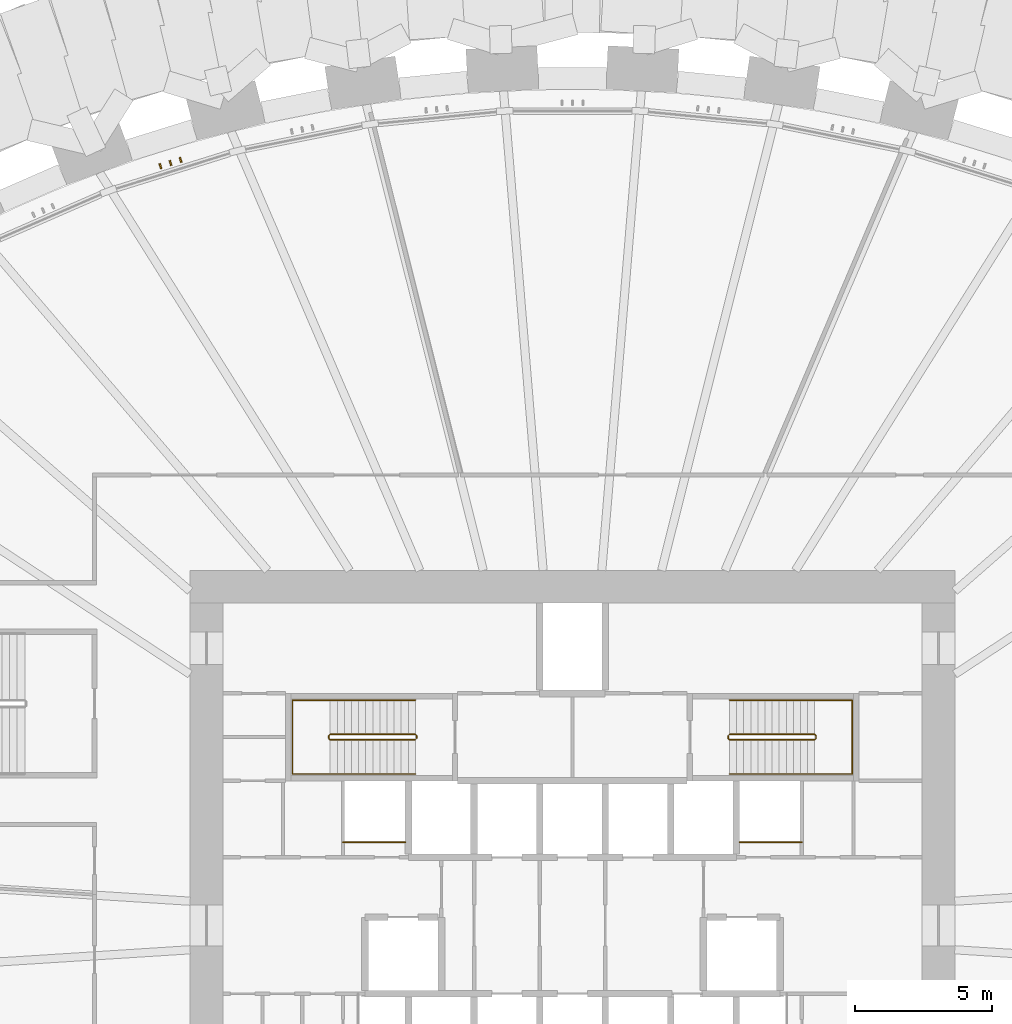
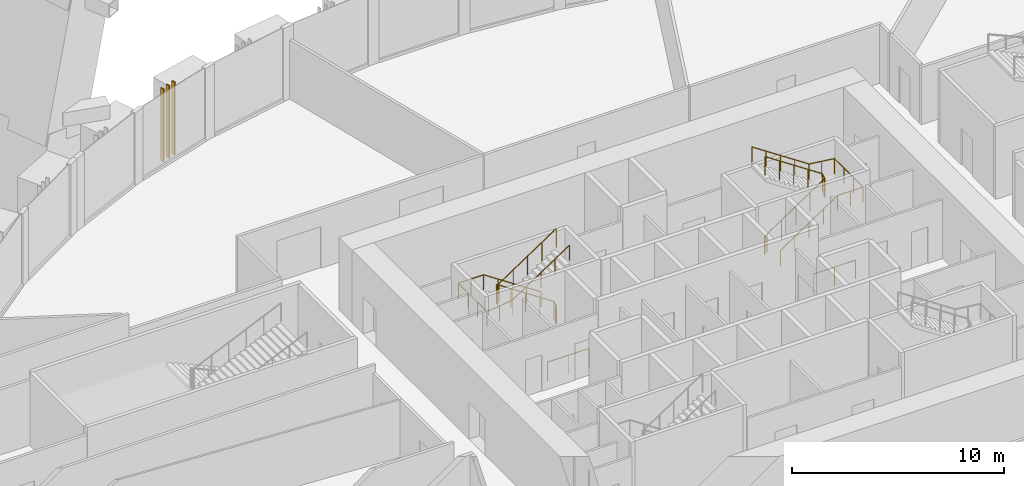
# One storey, part 19 of 23: 6 railings, 3 shading devices.
"""IFC4 building model written with IfcOpenShell, lengths in metres."""

from ifc_helpers import new_model, si_unit, direction, frame, origin, origin_2d, place, context, subcontext, project, spatial, rectangle, circle, extrude, source, transform, mapped, material, material_profile, profile_set, type_object, element, save


model = new_model("IFC4")

# Units and contexts
model_context = context("Model", 3, precision=1e-05, world=origin(), true_north=direction((0.0, 1.0)))
body_context = subcontext(model_context, "Body", "Model", "MODEL_VIEW")
ifc_project = project(units=[si_unit("LENGTHUNIT", "METRE"), si_unit("AREAUNIT", "SQUARE_METRE"), si_unit("VOLUMEUNIT", "CUBIC_METRE"), si_unit("PLANEANGLEUNIT", "RADIAN"), si_unit("MASSUNIT", "GRAM", prefix="KILO")], contexts=[model_context])

# Site, building, storey
site_placement = place(None, origin())
site = spatial("IfcSite", under=ifc_project, at=site_placement, CompositionType="ELEMENT")
building_placement = place(site_placement, origin())
building = spatial("IfcBuilding", under=site, at=building_placement, Name="Embergate Tower", CompositionType="ELEMENT")
storey_placement = place(building_placement, frame((0.0, 0.0, 29.0)))
storey = spatial("IfcBuildingStorey", under=building, at=storey_placement, Name="L03", CompositionType="ELEMENT", Elevation=29.0)

# Shading devices
ifc_material_1 = material(Name="Terracotta, extruded and glazed", Category="masonry")
ifc_material_profile = material_profile(ifc_material_1, rectangle(XDim=0.18994140625, YDim=0.06005859375, at=origin_2d()), Name="TC 190x60")
ifc_profile_set = profile_set([ifc_material_profile], Name="Terracotta, extruded and glazed")
shading_device_type = type_object("IfcShadingDeviceType", Name="Terracotta fin", PredefinedType="USERDEFINED", material=ifc_profile_set)
shared_shape_1 = source(origin(), body_context, "Body", "SweptSolid", [
    extrude(rectangle(XDim=0.18994140625, YDim=0.06005859375, at=origin_2d()), origin(), (0.0, 0.0, 1.0), 4.199951171875),
])
for number, where, z_axis, x_axis, name in (
    (1, (-14.34716796875, 28.034423828125, 0.0), (0.0, 0.0, 1.0), (0.297346545624, -0.954769622373, 0.0), "Fin 14.1"),
    (2, (-14.71728515625, 27.919189453125, 0.0), (0.0, 0.0, 1.0), (0.297346545624, -0.954769622373, 0.0), "Fin 14.2"),
    (3, (-15.08740234375, 27.803955078125, 0.0), (0.0, 0.0, 1.0), (0.297346545624, -0.954769622373, 0.0), "Fin 14.3"),
):
    element("IfcShadingDevice", number, at=place(storey_placement, frame(where, z_axis=z_axis, x_axis=x_axis)), inside=storey, type_object=shading_device_type, Name=name, ObjectType="FIN", PredefinedType="USERDEFINED", context=body_context, shape_type="MappedRepresentation", body=[
        mapped(shared_shape_1, transform((0.0, 0.0, 0.0))),
    ])

# Railings
ifc_material_2 = material(Name="Stair guard 1100")
railing_type_1 = type_object("IfcRailingType", Name="Stair guard 1100", PredefinedType="GUARDRAIL", material=ifc_material_2)
shared_shape_2 = source(origin(), body_context, "Body", "SweptSolid", [
    extrude(circle(Radius=0.02392578125, at=origin_2d()), frame((0.0, 0.0, 1.076171875), z_axis=(0.0, 1.0, 0.0), x_axis=(-1.0, 0.0, 0.0)), (0.0, 0.0, 1.0), 0.099853515625),
    extrude(circle(Radius=0.02392578125, at=origin_2d()), frame((0.0, 0.099853515625, 1.076171875), z_axis=(-0.267629722418, 0.267629722418, 0.925607186314), x_axis=(-0.707106781187, -0.707106781187, 0.0)), (0.0, 0.0, 1.0), 0.18701171875),
    extrude(circle(Radius=0.02392578125, at=origin_2d()), frame((-0.050048828125, 0.14990234375, 1.2490234375), z_axis=(-0.83244090515, 0.0, 0.554113832559), x_axis=(0.0, -1.0, 0.0)), (0.0, 0.0, 1.0), 3.748046875),
    extrude(circle(Radius=0.02392578125, at=origin_2d()), frame((-3.170166015625, 0.14990234375, 3.326171875), z_axis=(-0.705375805398, -0.708833529934, 0.0), x_axis=(0.708833529934, -0.705375805398, 0.0)), (0.0, 0.0, 1.0), 0.070556640625),
    extrude(circle(Radius=0.02392578125, at=origin_2d()), frame((-3.219970703125, 0.099853515625, 3.326171875), z_axis=(0.0, -1.0, 0.0), x_axis=(1.0, 0.0, 0.0)), (0.0, 0.0, 1.0), 0.099853515625),
    extrude(circle(Radius=0.02392578125, at=origin_2d()), frame((-3.219970703125, 0.0, 3.326171875), z_axis=(0.266417085129, -0.267723051232, 0.925929967433), x_axis=(0.708833529934, 0.705375805398, 0.0)), (0.0, 0.0, 1.0), 0.18701171875),
    extrude(circle(Radius=0.02392578125, at=origin_2d()), frame((-3.170166015625, -0.050048828125, 3.4990234375), z_axis=(0.83244090515, 0.0, 0.554113832559), x_axis=(0.0, 1.0, 0.0)), (0.0, 0.0, 1.0), 3.748046875),
    extrude(circle(Radius=0.02099609375, at=origin_2d()), origin(), (0.0, 0.0, 1.0), 1.052001953125),
    extrude(circle(Radius=0.02099609375, at=origin_2d()), frame((0.0, 0.099853515625, 0.0)), (0.0, 0.0, 1.0), 1.052001953125),
    extrude(circle(Radius=0.02099609375, at=origin_2d()), frame((-0.050048828125, 0.14990234375, 0.173095703125)), (0.0, 0.0, 1.0), 1.052001953125),
    extrude(circle(Radius=0.02099609375, at=origin_2d()), frame((-0.830078125, 0.14990234375, 0.6923828125)), (0.0, 0.0, 1.0), 1.052001953125),
    extrude(circle(Radius=0.02099609375, at=origin_2d()), frame((-1.610107421875, 0.14990234375, 1.21142578125)), (0.0, 0.0, 1.0), 1.052001953125),
    extrude(circle(Radius=0.02099609375, at=origin_2d()), frame((-2.39013671875, 0.14990234375, 1.730712890625)), (0.0, 0.0, 1.0), 1.052001953125),
    extrude(circle(Radius=0.02099609375, at=origin_2d()), frame((-3.170166015625, 0.14990234375, 2.25)), (0.0, 0.0, 1.0), 1.052001953125),
    extrude(circle(Radius=0.02099609375, at=origin_2d()), frame((-3.219970703125, 0.099853515625, 2.25)), (0.0, 0.0, 1.0), 1.052001953125),
    extrude(circle(Radius=0.02099609375, at=origin_2d()), frame((-3.219970703125, 0.0, 2.25)), (0.0, 0.0, 1.0), 1.052001953125),
    extrude(circle(Radius=0.02099609375, at=origin_2d()), frame((-3.170166015625, -0.050048828125, 2.423095703125)), (0.0, 0.0, 1.0), 1.052001953125),
    extrude(circle(Radius=0.02099609375, at=origin_2d()), frame((-2.39013671875, -0.050048828125, 2.9423828125)), (0.0, 0.0, 1.0), 1.052001953125),
    extrude(circle(Radius=0.02099609375, at=origin_2d()), frame((-1.610107421875, -0.050048828125, 3.46142578125)), (0.0, 0.0, 1.0), 1.052001953125),
    extrude(circle(Radius=0.02099609375, at=origin_2d()), frame((-0.830078125, -0.050048828125, 3.980712890625)), (0.0, 0.0, 1.0), 1.052001953125),
    extrude(circle(Radius=0.02099609375, at=origin_2d()), frame((-0.050048828125, -0.050048828125, 4.5)), (0.0, 0.0, 1.0), 1.052001953125),
])
railing_1_placement = place(storey_placement, frame((-5.699951171875, 6.85009765625, 0.0)))
element("IfcRailing", 4, at=railing_1_placement, inside=storey, type_object=railing_type_1, Name="L03 ST1 stair guard 1", PredefinedType="GUARDRAIL", context=body_context, shape_type="MappedRepresentation", body=[
    mapped(shared_shape_2, transform((0.0, 0.0, 0.0))),
])
ifc_material_3 = material(Name="Stair handrail 900")
railing_type_2 = type_object("IfcRailingType", Name="Stair handrail 900", PredefinedType="HANDRAIL", material=ifc_material_3)
shared_shape_3 = source(origin(), body_context, "Body", "SweptSolid", [
    extrude(circle(Radius=0.02392578125, at=origin_2d()), frame((0.0, 0.0, 0.8759765625), z_axis=(-0.83244090515, 0.0, 0.554113832559), x_axis=(0.0, -1.0, 0.0)), (0.0, 0.0, 1.0), 3.748046875),
    extrude(circle(Radius=0.02392578125, at=origin_2d()), frame((-3.1201171875, 0.0, 2.95263671875), z_axis=(-1.0, 0.0, 0.0), x_axis=(0.0, -1.0, 0.0)), (0.0, 0.0, 1.0), 1.3798828125),
    extrude(circle(Radius=0.02392578125, at=origin_2d()), frame((-4.5, 0.0, 2.95263671875), z_axis=(0.0, -1.0, 0.0), x_axis=(1.0, 0.0, 0.0)), (0.0, 0.0, 1.0), 2.699951171875),
    extrude(circle(Radius=0.02392578125, at=origin_2d()), frame((-4.5, -2.699951171875, 2.95263671875), z_axis=(0.992223766409, 0.0, 0.12446685251), x_axis=(0.0, 1.0, 0.0)), (0.0, 0.0, 1.0), 1.390625),
    extrude(circle(Radius=0.02392578125, at=origin_2d()), frame((-3.1201171875, -2.699951171875, 3.1259765625), z_axis=(0.83244090515, 0.0, 0.554113832559), x_axis=(0.0, 1.0, 0.0)), (0.0, 0.0, 1.0), 3.748046875),
    extrude(circle(Radius=0.02099609375, at=origin_2d()), origin(), (0.0, 0.0, 1.0), 0.851806640625),
    extrude(circle(Radius=0.02099609375, at=origin_2d()), frame((-0.780029296875, 0.0, 0.519287109375)), (0.0, 0.0, 1.0), 0.851806640625),
    extrude(circle(Radius=0.02099609375, at=origin_2d()), frame((-1.56005859375, 0.0, 1.03857421875)), (0.0, 0.0, 1.0), 0.851806640625),
    extrude(circle(Radius=0.02099609375, at=origin_2d()), frame((-2.340087890625, 0.0, 1.5576171875)), (0.0, 0.0, 1.0), 0.851806640625),
    extrude(circle(Radius=0.02099609375, at=origin_2d()), frame((-3.1201171875, 0.0, 2.076904296875)), (0.0, 0.0, 1.0), 0.851806640625),
    extrude(circle(Radius=0.02099609375, at=origin_2d()), frame((-3.81005859375, 0.0, 2.076904296875)), (0.0, 0.0, 1.0), 0.851806640625),
    extrude(circle(Radius=0.02099609375, at=origin_2d()), frame((-4.5, 0.0, 2.076904296875)), (0.0, 0.0, 1.0), 0.851806640625),
    extrude(circle(Radius=0.02099609375, at=origin_2d()), frame((-4.5, -0.89990234375, 2.076904296875)), (0.0, 0.0, 1.0), 0.851806640625),
    extrude(circle(Radius=0.02099609375, at=origin_2d()), frame((-4.5, -1.800048828125, 2.076904296875)), (0.0, 0.0, 1.0), 0.851806640625),
    extrude(circle(Radius=0.02099609375, at=origin_2d()), frame((-4.5, -2.699951171875, 2.076904296875)), (0.0, 0.0, 1.0), 0.851806640625),
    extrude(circle(Radius=0.02099609375, at=origin_2d()), frame((-3.81005859375, -2.699951171875, 2.16357421875)), (0.0, 0.0, 1.0), 0.851806640625),
    extrude(circle(Radius=0.02099609375, at=origin_2d()), frame((-3.1201171875, -2.699951171875, 2.25)), (0.0, 0.0, 1.0), 0.851806640625),
    extrude(circle(Radius=0.02099609375, at=origin_2d()), frame((-2.340087890625, -2.699951171875, 2.769287109375)), (0.0, 0.0, 1.0), 0.851806640625),
    extrude(circle(Radius=0.02099609375, at=origin_2d()), frame((-1.56005859375, -2.699951171875, 3.28857421875)), (0.0, 0.0, 1.0), 0.851806640625),
    extrude(circle(Radius=0.02099609375, at=origin_2d()), frame((-0.780029296875, -2.699951171875, 3.8076171875)), (0.0, 0.0, 1.0), 0.851806640625),
    extrude(circle(Radius=0.02099609375, at=origin_2d()), frame((0.0, -2.699951171875, 4.326904296875)), (0.0, 0.0, 1.0), 0.851806640625),
])
railing_2_placement = place(storey_placement, frame((-5.75, 8.25, 0.173095703125)))
element("IfcRailing", 5, at=railing_2_placement, inside=storey, type_object=railing_type_2, Name="L03 ST1 stair handrail 1", PredefinedType="HANDRAIL", context=body_context, shape_type="MappedRepresentation", body=[
    mapped(shared_shape_3, transform((0.0, 0.0, 0.0))),
])
shared_shape_4 = source(origin(), body_context, "Body", "SweptSolid", [
    extrude(circle(Radius=0.02392578125, at=origin_2d()), frame((0.0, 0.0, 1.076171875), z_axis=(0.0, -1.0, 0.0), x_axis=(1.0, 0.0, 0.0)), (0.0, 0.0, 1.0), 0.099853515625),
    extrude(circle(Radius=0.02392578125, at=origin_2d()), frame((0.0, -0.099853515625, 1.076171875), z_axis=(0.267629722418, -0.267629722418, 0.925607186314), x_axis=(0.707106781187, 0.707106781187, 0.0)), (0.0, 0.0, 1.0), 0.18701171875),
    extrude(circle(Radius=0.02392578125, at=origin_2d()), frame((0.050048828125, -0.14990234375, 1.2490234375), z_axis=(0.83244090515, 0.0, 0.554113832559), x_axis=(0.0, 1.0, 0.0)), (0.0, 0.0, 1.0), 3.748046875),
    extrude(circle(Radius=0.02392578125, at=origin_2d()), frame((3.170166015625, -0.14990234375, 3.326171875), z_axis=(0.705375805398, 0.708833529934, 0.0), x_axis=(-0.708833529934, 0.705375805398, 0.0)), (0.0, 0.0, 1.0), 0.070556640625),
    extrude(circle(Radius=0.02392578125, at=origin_2d()), frame((3.219970703125, -0.099853515625, 3.326171875), z_axis=(0.0, 1.0, 0.0), x_axis=(-1.0, 0.0, 0.0)), (0.0, 0.0, 1.0), 0.099853515625),
    extrude(circle(Radius=0.02392578125, at=origin_2d()), frame((3.219970703125, 0.0, 3.326171875), z_axis=(-0.266417085129, 0.267723051232, 0.925929967433), x_axis=(-0.708833529934, -0.705375805398, 0.0)), (0.0, 0.0, 1.0), 0.18701171875),
    extrude(circle(Radius=0.02392578125, at=origin_2d()), frame((3.170166015625, 0.050048828125, 3.4990234375), z_axis=(-0.83244090515, 0.0, 0.554113832559), x_axis=(0.0, -1.0, 0.0)), (0.0, 0.0, 1.0), 3.748046875),
    extrude(circle(Radius=0.02099609375, at=origin_2d()), origin(), (0.0, 0.0, 1.0), 1.052001953125),
    extrude(circle(Radius=0.02099609375, at=origin_2d()), frame((0.0, -0.099853515625, 0.0)), (0.0, 0.0, 1.0), 1.052001953125),
    extrude(circle(Radius=0.02099609375, at=origin_2d()), frame((0.050048828125, -0.14990234375, 0.173095703125)), (0.0, 0.0, 1.0), 1.052001953125),
    extrude(circle(Radius=0.02099609375, at=origin_2d()), frame((0.830078125, -0.14990234375, 0.6923828125)), (0.0, 0.0, 1.0), 1.052001953125),
    extrude(circle(Radius=0.02099609375, at=origin_2d()), frame((1.610107421875, -0.14990234375, 1.21142578125)), (0.0, 0.0, 1.0), 1.052001953125),
    extrude(circle(Radius=0.02099609375, at=origin_2d()), frame((2.39013671875, -0.14990234375, 1.730712890625)), (0.0, 0.0, 1.0), 1.052001953125),
    extrude(circle(Radius=0.02099609375, at=origin_2d()), frame((3.170166015625, -0.14990234375, 2.25)), (0.0, 0.0, 1.0), 1.052001953125),
    extrude(circle(Radius=0.02099609375, at=origin_2d()), frame((3.219970703125, -0.099853515625, 2.25)), (0.0, 0.0, 1.0), 1.052001953125),
    extrude(circle(Radius=0.02099609375, at=origin_2d()), frame((3.219970703125, 0.0, 2.25)), (0.0, 0.0, 1.0), 1.052001953125),
    extrude(circle(Radius=0.02099609375, at=origin_2d()), frame((3.170166015625, 0.050048828125, 2.423095703125)), (0.0, 0.0, 1.0), 1.052001953125),
    extrude(circle(Radius=0.02099609375, at=origin_2d()), frame((2.39013671875, 0.050048828125, 2.9423828125)), (0.0, 0.0, 1.0), 1.052001953125),
    extrude(circle(Radius=0.02099609375, at=origin_2d()), frame((1.610107421875, 0.050048828125, 3.46142578125)), (0.0, 0.0, 1.0), 1.052001953125),
    extrude(circle(Radius=0.02099609375, at=origin_2d()), frame((0.830078125, 0.050048828125, 3.980712890625)), (0.0, 0.0, 1.0), 1.052001953125),
    extrude(circle(Radius=0.02099609375, at=origin_2d()), frame((0.050048828125, 0.050048828125, 4.5)), (0.0, 0.0, 1.0), 1.052001953125),
])
railing_3_placement = place(storey_placement, frame((5.699951171875, 6.949951171875, 0.0)))
element("IfcRailing", 6, at=railing_3_placement, inside=storey, type_object=railing_type_1, Name="L03 ST2 stair guard 1", PredefinedType="GUARDRAIL", context=body_context, shape_type="MappedRepresentation", body=[
    mapped(shared_shape_4, transform((0.0, 0.0, 0.0))),
])
shared_shape_5 = source(origin(), body_context, "Body", "SweptSolid", [
    extrude(circle(Radius=0.02392578125, at=origin_2d()), frame((0.0, 0.0, 0.8759765625), z_axis=(0.83244090515, 0.0, 0.554113832559), x_axis=(0.0, 1.0, 0.0)), (0.0, 0.0, 1.0), 3.748046875),
    extrude(circle(Radius=0.02392578125, at=origin_2d()), frame((3.1201171875, 0.0, 2.95263671875), z_axis=(1.0, 0.0, 0.0), x_axis=(0.0, 1.0, 0.0)), (0.0, 0.0, 1.0), 1.3798828125),
    extrude(circle(Radius=0.02392578125, at=origin_2d()), frame((4.5, 0.0, 2.95263671875), z_axis=(0.0, 1.0, 0.0), x_axis=(-1.0, 0.0, 0.0)), (0.0, 0.0, 1.0), 2.699951171875),
    extrude(circle(Radius=0.02392578125, at=origin_2d()), frame((4.5, 2.699951171875, 2.95263671875), z_axis=(-0.992223766409, 0.0, 0.12446685251), x_axis=(0.0, -1.0, 0.0)), (0.0, 0.0, 1.0), 1.390625),
    extrude(circle(Radius=0.02392578125, at=origin_2d()), frame((3.1201171875, 2.699951171875, 3.1259765625), z_axis=(-0.83244090515, 0.0, 0.554113832559), x_axis=(0.0, -1.0, 0.0)), (0.0, 0.0, 1.0), 3.748046875),
    extrude(circle(Radius=0.02099609375, at=origin_2d()), origin(), (0.0, 0.0, 1.0), 0.851806640625),
    extrude(circle(Radius=0.02099609375, at=origin_2d()), frame((0.780029296875, 0.0, 0.519287109375)), (0.0, 0.0, 1.0), 0.851806640625),
    extrude(circle(Radius=0.02099609375, at=origin_2d()), frame((1.56005859375, 0.0, 1.03857421875)), (0.0, 0.0, 1.0), 0.851806640625),
    extrude(circle(Radius=0.02099609375, at=origin_2d()), frame((2.340087890625, 0.0, 1.5576171875)), (0.0, 0.0, 1.0), 0.851806640625),
    extrude(circle(Radius=0.02099609375, at=origin_2d()), frame((3.1201171875, 0.0, 2.076904296875)), (0.0, 0.0, 1.0), 0.851806640625),
    extrude(circle(Radius=0.02099609375, at=origin_2d()), frame((3.81005859375, 0.0, 2.076904296875)), (0.0, 0.0, 1.0), 0.851806640625),
    extrude(circle(Radius=0.02099609375, at=origin_2d()), frame((4.5, 0.0, 2.076904296875)), (0.0, 0.0, 1.0), 0.851806640625),
    extrude(circle(Radius=0.02099609375, at=origin_2d()), frame((4.5, 0.89990234375, 2.076904296875)), (0.0, 0.0, 1.0), 0.851806640625),
    extrude(circle(Radius=0.02099609375, at=origin_2d()), frame((4.5, 1.800048828125, 2.076904296875)), (0.0, 0.0, 1.0), 0.851806640625),
    extrude(circle(Radius=0.02099609375, at=origin_2d()), frame((4.5, 2.699951171875, 2.076904296875)), (0.0, 0.0, 1.0), 0.851806640625),
    extrude(circle(Radius=0.02099609375, at=origin_2d()), frame((3.81005859375, 2.699951171875, 2.16357421875)), (0.0, 0.0, 1.0), 0.851806640625),
    extrude(circle(Radius=0.02099609375, at=origin_2d()), frame((3.1201171875, 2.699951171875, 2.25)), (0.0, 0.0, 1.0), 0.851806640625),
    extrude(circle(Radius=0.02099609375, at=origin_2d()), frame((2.340087890625, 2.699951171875, 2.769287109375)), (0.0, 0.0, 1.0), 0.851806640625),
    extrude(circle(Radius=0.02099609375, at=origin_2d()), frame((1.56005859375, 2.699951171875, 3.28857421875)), (0.0, 0.0, 1.0), 0.851806640625),
    extrude(circle(Radius=0.02099609375, at=origin_2d()), frame((0.780029296875, 2.699951171875, 3.8076171875)), (0.0, 0.0, 1.0), 0.851806640625),
    extrude(circle(Radius=0.02099609375, at=origin_2d()), frame((0.0, 2.699951171875, 4.326904296875)), (0.0, 0.0, 1.0), 0.851806640625),
])
railing_4_placement = place(storey_placement, frame((5.75, 5.550048828125, 0.173095703125)))
element("IfcRailing", 7, at=railing_4_placement, inside=storey, type_object=railing_type_2, Name="L03 ST2 stair handrail 1", PredefinedType="HANDRAIL", context=body_context, shape_type="MappedRepresentation", body=[
    mapped(shared_shape_5, transform((0.0, 0.0, 0.0))),
])
ifc_material_4 = material(Name="Opening guard 1100")
railing_type_3 = type_object("IfcRailingType", Name="Opening guard 1100", PredefinedType="GUARDRAIL", material=ifc_material_4)
shared_shape_6 = source(origin(), body_context, "Body", "SweptSolid", [
    extrude(circle(Radius=0.02392578125, at=origin_2d()), frame((0.0, 0.0, 1.076171875), z_axis=(1.0, 0.0, 0.0), x_axis=(0.0, 1.0, 0.0)), (0.0, 0.0, 1.0), 2.27490234375),
    extrude(circle(Radius=0.02099609375, at=origin_2d()), origin(), (0.0, 0.0, 1.0), 1.052001953125),
    extrude(circle(Radius=0.02099609375, at=origin_2d()), frame((1.137451171875, 0.0, 0.0)), (0.0, 0.0, 1.0), 1.052001953125),
    extrude(circle(Radius=0.02099609375, at=origin_2d()), frame((2.27490234375, 0.0, 0.0)), (0.0, 0.0, 1.0), 1.052001953125),
])
for number, where, name in (
    (8, (-8.39990234375, 3.050048828125, 0.0), "Riser opening guard"),
    (9, (6.125, 3.050048828125, 0.0), "Riser opening guard"),
):
    element("IfcRailing", number, at=place(storey_placement, frame(where)), inside=storey, type_object=railing_type_3, Name=name, PredefinedType="GUARDRAIL", context=body_context, shape_type="MappedRepresentation", body=[
        mapped(shared_shape_6, transform((0.0, 0.0, 0.0))),
    ])

save(model, "model.ifc")
